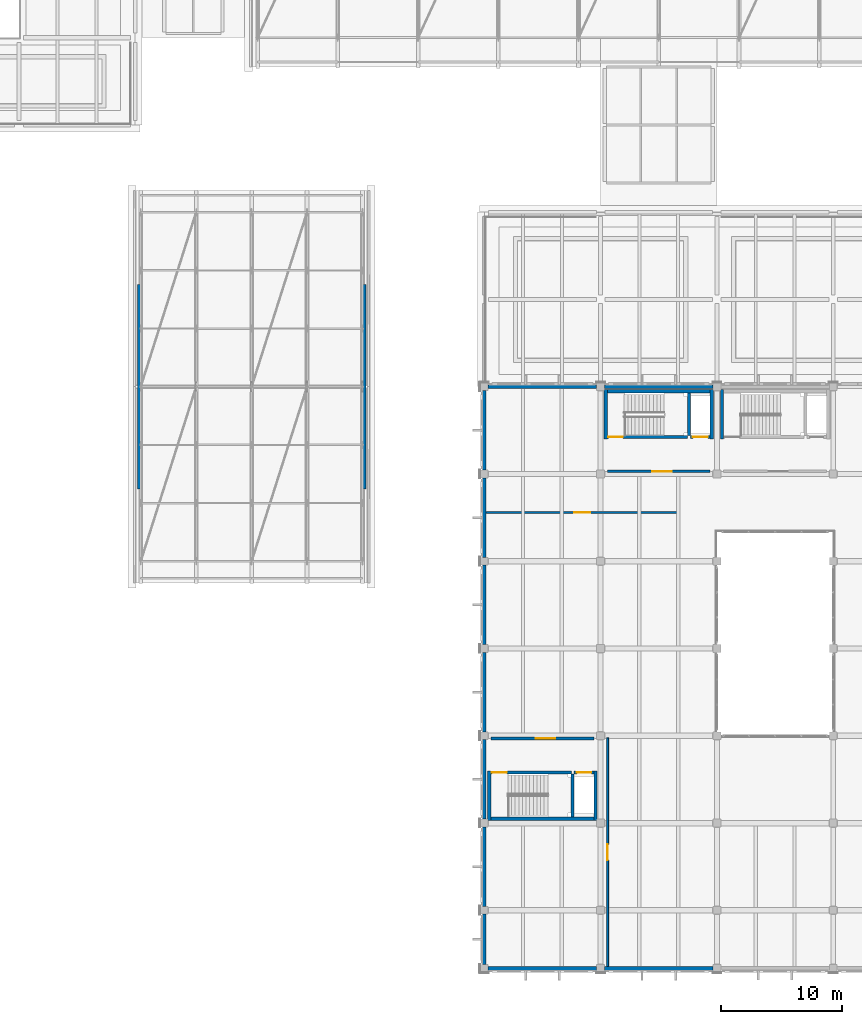
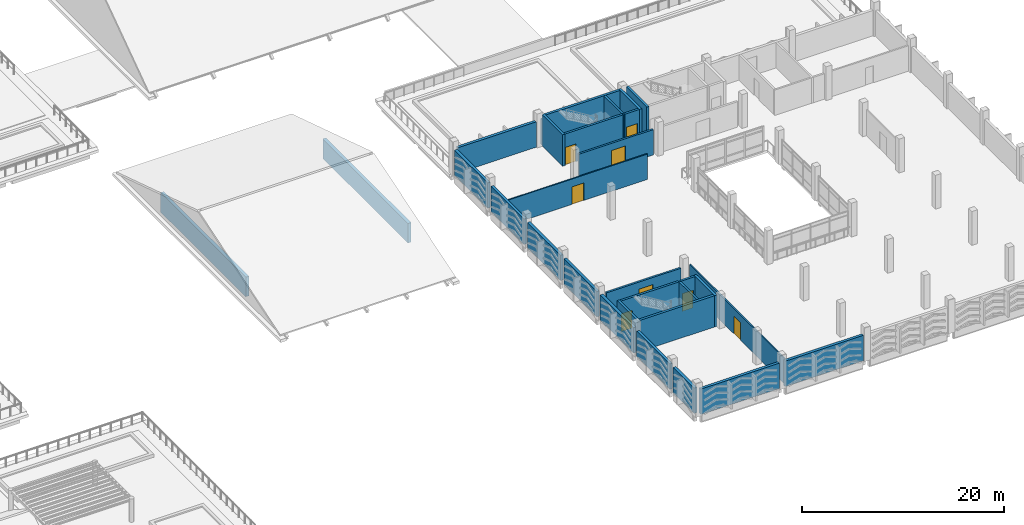
# One storey, part 113 of 134: 30 walls, 8 doors, 8 openings.
"""IFC4 building model written with IfcOpenShell, lengths in metres."""

from ifc_helpers import new_model, si_unit, direction, frame, frame_2d, origin, place, context, subcontext, project, spatial, rectangle, extrude, material, layer, layer_set, type_object, element, fill, save


model = new_model("IFC4")

# Units and contexts
model_context = context("Model", 3, precision=1e-05, world=origin(), true_north=direction((0.0, 1.0)))
body_context = subcontext(model_context, "Body", "Model", "MODEL_VIEW")
ifc_project = project(units=[si_unit("LENGTHUNIT", "METRE"), si_unit("AREAUNIT", "SQUARE_METRE"), si_unit("VOLUMEUNIT", "CUBIC_METRE"), si_unit("PLANEANGLEUNIT", "RADIAN"), si_unit("MASSUNIT", "GRAM", prefix="KILO")], contexts=[model_context])

# Site, building, storey
site_placement = place(None, origin())
site = spatial("IfcSite", under=ifc_project, at=site_placement, CompositionType="ELEMENT")
building_placement = place(site_placement, origin())
building = spatial("IfcBuilding", under=site, at=building_placement, Name="Asteropetra Specialist Clinic", CompositionType="ELEMENT")
storey_placement = place(building_placement, frame((0.0, 0.0, 8.5)))
storey = spatial("IfcBuildingStorey", under=building, at=storey_placement, Name="L02", CompositionType="ELEMENT", Elevation=8.5)

# Walls
ifc_material_1 = material(Name="Chevron aegean deep", Category="masonry")
ifc_layer_1 = layer(ifc_material_1, 0.31494140625)
ifc_layer_set_1 = layer_set([ifc_layer_1], Name="Chevron aegean deep")
wall_type_1 = type_object("IfcWallType", Name="EW-CHEV-AEG-315", PredefinedType="SOLIDWALL", material=ifc_layer_set_1)
for number, where, z_axis, x_axis, name in (
    (1, (105.925048828125, 0.0, 0.0), (0.0, 0.0, 1.0), (1.0, 0.0, 0.0), "Exterior Wall EW-0231"),
    (2, (114.875, 48.0, 0.0), (0.0, 0.0, 1.0), (-1.0, 0.0, 0.0), "Exterior Wall EW-0232"),
):
    element("IfcWall", number, at=place(storey_placement, frame(where, z_axis=z_axis, x_axis=x_axis)), inside=storey, type_object=wall_type_1, Name=name, PredefinedType="SOLIDWALL", context=body_context, shape_type="SweptSolid", body=[
        extrude(rectangle(XDim=8.949951171875, YDim=0.31494140625, at=frame_2d((4.47509765625, 0.0))), origin(), (0.0, 0.0, 1.0), 3.06005859375),
    ])
for number, where, z_axis, x_axis, name in (
    (3, (115.52490234375, 0.0, 0.0), (0.0, 0.0, 1.0), (1.0, 0.0, 0.0), "Exterior Wall EW-0233"),
    (4, (124.47509765625, 48.0, 0.0), (0.0, 0.0, 1.0), (-1.0, 0.0, 0.0), "Exterior Wall EW-0234"),
):
    element("IfcWall", number, at=place(storey_placement, frame(where, z_axis=z_axis, x_axis=x_axis)), inside=storey, type_object=wall_type_1, Name=name, PredefinedType="SOLIDWALL", context=body_context, shape_type="SweptSolid", body=[
        extrude(rectangle(XDim=8.9501953125, YDim=0.31494140625, at=frame_2d((4.47509765625, 0.0))), origin(), (0.0, 0.0, 1.0), 3.06005859375),
    ])
wall_1_placement = place(storey_placement, frame((105.60009765625, 4.47509765625, 0.0), z_axis=(0.0, 0.0, 1.0), x_axis=(0.0, -1.0, 0.0)))
element("IfcWall", 5, at=wall_1_placement, inside=storey, type_object=wall_type_1, Name="Exterior Wall EW-0241", PredefinedType="SOLIDWALL", context=body_context, shape_type="SweptSolid", body=[
    extrude(rectangle(XDim=4.150146484375, YDim=0.31494140625, at=frame_2d((2.0751953125, 0.0))), origin(), (0.0, 0.0, 1.0), 3.06005859375),
])
for number, where, z_axis, x_axis, name in (
    (6, (105.60009765625, 11.675048828125, 0.0), (0.0, 0.0, 1.0), (0.0, -1.0, 0.0), "Exterior Wall EW-0243"),
    (7, (105.60009765625, 18.875, 0.0), (0.0, 0.0, 1.0), (0.0, -1.0, 0.0), "Exterior Wall EW-0245"),
    (8, (105.60009765625, 26.074951171875, 0.0), (0.0, 0.0, 1.0), (0.0, -1.0, 0.0), "Exterior Wall EW-0247"),
):
    element("IfcWall", number, at=place(storey_placement, frame(where, z_axis=z_axis, x_axis=x_axis)), inside=storey, type_object=wall_type_1, Name=name, PredefinedType="SOLIDWALL", context=body_context, shape_type="SweptSolid", body=[
        extrude(rectangle(XDim=6.550048828125, YDim=0.31494140625, at=frame_2d((3.27490234375, 0.0))), origin(), (0.0, 0.0, 1.0), 3.06005859375),
    ])
wall_2_placement = place(storey_placement, frame((105.60009765625, 33.27490234375, 0.0), z_axis=(0.0, 0.0, 1.0), x_axis=(0.0, -1.0, 0.0)))
element("IfcWall", 9, at=wall_2_placement, inside=storey, type_object=wall_type_1, Name="Exterior Wall EW-0249", PredefinedType="SOLIDWALL", context=body_context, shape_type="SweptSolid", body=[
    extrude(rectangle(XDim=6.5498046875, YDim=0.31494140625, at=frame_2d((3.27490234375, 0.0))), origin(), (0.0, 0.0, 1.0), 3.06005859375),
])
for number, where, z_axis, x_axis, name in (
    (10, (105.60009765625, 40.47509765625, 0.0), (0.0, 0.0, 1.0), (0.0, -1.0, 0.0), "Exterior Wall EW-0251"),
    (11, (105.60009765625, 47.675048828125, 0.0), (0.0, 0.0, 1.0), (0.0, -1.0, 0.0), "Exterior Wall EW-0253"),
):
    element("IfcWall", number, at=place(storey_placement, frame(where, z_axis=z_axis, x_axis=x_axis)), inside=storey, type_object=wall_type_1, Name=name, PredefinedType="SOLIDWALL", context=body_context, shape_type="SweptSolid", body=[
        extrude(rectangle(XDim=6.550048828125, YDim=0.31494140625, at=frame_2d((3.27490234375, 0.0))), origin(), (0.0, 0.0, 1.0), 3.06005859375),
    ])
ifc_material_2 = material(Name="Pentelic marble ashlar", Category="masonry")
ifc_layer_2 = layer(ifc_material_2, 0.360107421875)
ifc_layer_set_2 = layer_set([ifc_layer_2], Name="Pentelic marble ashlar")
wall_type_2 = type_object("IfcWallType", Name="EW-PENTELIC-360", PredefinedType="SOLIDWALL", material=ifc_layer_set_2)
for number, where, z_axis, x_axis, name in (
    (12, (77.14990234375, 39.575927734375, 0.239990234375), (0.0, 0.0, 1.0), (0.0, 1.0, 0.0), "Neoclassical Pediment Backup Wall TP-007"),
    (13, (95.64990234375, 39.575927734375, 0.239990234375), (0.0, 0.0, 1.0), (0.0, 1.0, 0.0), "Neoclassical Pediment Backup Wall TP-010"),
):
    element("IfcWall", number, at=place(storey_placement, frame(where, z_axis=z_axis, x_axis=x_axis)), inside=storey, type_object=wall_type_2, Name=name, PredefinedType="SOLIDWALL", context=body_context, shape_type="SweptSolid", body=[
        extrude(rectangle(XDim=16.84814453125, YDim=0.360107421875, at=frame_2d((8.424072265625, 0.0))), origin(), (0.0, 0.0, 1.0), 2.35791015625),
    ])

# Wall, opening, door
ifc_material_3 = material(Name="Fire-rated masonry and gypsum", Category="masonry")
ifc_layer_3 = layer(ifc_material_3, 0.219970703125)
ifc_layer_set_3 = layer_set([ifc_layer_3], Name="Fire-rated masonry and gypsum")
wall_type_3 = type_object("IfcWallType", Name="W-COMP-220", PredefinedType="PARTITIONING", material=ifc_layer_set_3)
wall_3_placement = place(storey_placement, frame((106.159912109375, 18.97998046875, 0.0), z_axis=(0.0, 0.0, 1.0), x_axis=(1.0, 0.0, 0.0)))
wall_3 = element("IfcWall", 14, at=wall_3_placement, inside=storey, type_object=wall_type_3, Name="Core Wall CW-C8-L02-LOB", PredefinedType="PARTITIONING", context=body_context, shape_type="SweptSolid", body=[
    extrude(rectangle(XDim=8.47998046875, YDim=0.219970703125, at=frame_2d((4.239990234375, 0.0))), origin(), (0.0, 0.0, 1.0), 3.06005859375),
])
opening_1_placement = place(wall_3_placement, frame((3.699951171875, 0.0, 0.0)))
opening_1 = element("IfcOpeningElement", 15, at=opening_1_placement, cuts=wall_3, Name="Opening FD-070", PredefinedType="OPENING", context=body_context, shape_type="SweptSolid", body=[
    extrude(rectangle(XDim=1.60009765625, YDim=2.199951171875, at=frame_2d((0.800048828125, 1.10009765625))), frame((0.0, 0.119873046875, 0.0), z_axis=(0.0, -1.0, 0.0), x_axis=(1.0, 0.0, 0.0)), (0.0, 0.0, 1.0), 0.239990234375),
])
ifc_material_4 = material(Name="Fire-rated steel and vision glass door", Category="steel")
door_type_1 = type_object("IfcDoorType", Name="FD-LOBBY-1600", OperationType="DOUBLE_DOOR_SINGLE_SWING", PredefinedType="DOOR", material=ifc_material_4)
door_1_placement = place(opening_1_placement, origin())
door_1 = element("IfcDoor", 16, at=door_1_placement, inside=storey, type_object=door_type_1, Name="Lobby Fire Door FD-070", OperationType="DOUBLE_DOOR_SINGLE_SWING", OverallHeight=2.199951171875, OverallWidth=1.60009765625, PredefinedType="DOOR", context=body_context, shape_type="SweptSolid", body=[
    extrude(rectangle(XDim=1.60009765625, YDim=2.199951171875, at=frame_2d((0.800048828125, 1.10009765625))), frame((0.0, 0.02490234375, 0.0), z_axis=(0.0, -1.0, 0.0), x_axis=(1.0, 0.0, 0.0)), (0.0, 0.0, 1.0), 0.050048828125),
])
fill(opening_1, door_1)

wall_4_placement = place(storey_placement, frame((115.760009765625, 41.02001953125, 0.0), z_axis=(0.0, 0.0, 1.0), x_axis=(1.0, 0.0, 0.0)))
wall_4 = element("IfcWall", 17, at=wall_4_placement, inside=storey, type_object=wall_type_3, Name="Core Wall CW-C10-L02-LOB", PredefinedType="PARTITIONING", context=body_context, shape_type="SweptSolid", body=[
    extrude(rectangle(XDim=8.47998046875, YDim=0.219970703125, at=frame_2d((4.239990234375, 0.0))), origin(), (0.0, 0.0, 1.0), 3.06005859375),
])
opening_2_placement = place(wall_4_placement, frame((3.699951171875, 0.0, 0.0)))
opening_2 = element("IfcOpeningElement", 18, at=opening_2_placement, cuts=wall_4, Name="Opening FD-090", PredefinedType="OPENING", context=body_context, shape_type="SweptSolid", body=[
    extrude(rectangle(XDim=1.60009765625, YDim=2.199951171875, at=frame_2d((0.800048828125, 1.10009765625))), frame((0.0, 0.119873046875, 0.0), z_axis=(0.0, -1.0, 0.0), x_axis=(1.0, 0.0, 0.0)), (0.0, 0.0, 1.0), 0.239990234375),
])
door_2_placement = place(opening_2_placement, origin())
door_2 = element("IfcDoor", 19, at=door_2_placement, inside=storey, type_object=door_type_1, Name="Lobby Fire Door FD-090", OperationType="DOUBLE_DOOR_SINGLE_SWING", OverallHeight=2.199951171875, OverallWidth=1.60009765625, PredefinedType="DOOR", context=body_context, shape_type="SweptSolid", body=[
    extrude(rectangle(XDim=1.60009765625, YDim=2.199951171875, at=frame_2d((0.800048828125, 1.10009765625))), frame((0.0, 0.02490234375, 0.0), z_axis=(0.0, -1.0, 0.0), x_axis=(1.0, 0.0, 0.0)), (0.0, 0.0, 1.0), 0.050048828125),
])
fill(opening_2, door_2)

# Walls
ifc_material_5 = material(Name="Concrete C35/45", Category="concrete")
ifc_layer_4 = layer(ifc_material_5, 0.280029296875)
ifc_layer_set_4 = layer_set([ifc_layer_4], Name="Concrete C35/45")
wall_type_4 = type_object("IfcWallType", Name="W-CORE-280", PredefinedType="SHEAR", material=ifc_layer_set_4)
for number, where, z_axis, x_axis, name in (
    (20, (106.02001953125, 12.219970703125, 0.0), (0.0, 0.0, 1.0), (0.0, 1.0, 0.0), "Core Wall CW-C8-L02-W"),
    (21, (114.780029296875, 12.219970703125, 0.0), (0.0, 0.0, 1.0), (0.0, 1.0, 0.0), "Core Wall CW-C8-L02-E"),
):
    element("IfcWall", number, at=place(storey_placement, frame(where, z_axis=z_axis, x_axis=x_axis)), inside=storey, type_object=wall_type_4, Name=name, PredefinedType="SHEAR", context=body_context, shape_type="SweptSolid", body=[
        extrude(rectangle(XDim=4.080078125, YDim=0.280029296875, at=frame_2d((2.0400390625, 0.0))), origin(), (0.0, 0.0, 1.0), 3.780029296875),
    ])
wall_5_placement = place(storey_placement, frame((106.155029296875, 12.360107421875, 0.0), z_axis=(0.0, 0.0, 1.0), x_axis=(1.0, 0.0, 0.0)))
element("IfcWall", 22, at=wall_5_placement, inside=storey, type_object=wall_type_4, Name="Core Wall CW-C8-L02-BACK", PredefinedType="SHEAR", context=body_context, shape_type="SweptSolid", body=[
    extrude(rectangle(XDim=8.489990234375, YDim=0.280029296875, at=frame_2d((4.2451171875, 0.0))), origin(), (0.0, 0.0, 1.0), 3.780029296875),
])
for number, where, z_axis, x_axis, name in (
    (23, (125.219970703125, 43.699951171875, 0.0), (0.0, 0.0, 1.0), (0.0, 1.0, 0.0), "Core Wall CW-C9-L02-W"),
    (24, (115.6201171875, 43.699951171875, 0.0), (0.0, 0.0, 1.0), (0.0, 1.0, 0.0), "Core Wall CW-C10-L02-W"),
    (25, (124.3798828125, 43.699951171875, 0.0), (0.0, 0.0, 1.0), (0.0, 1.0, 0.0), "Core Wall CW-C10-L02-E"),
):
    element("IfcWall", number, at=place(storey_placement, frame(where, z_axis=z_axis, x_axis=x_axis)), inside=storey, type_object=wall_type_4, Name=name, PredefinedType="SHEAR", context=body_context, shape_type="SweptSolid", body=[
        extrude(rectangle(XDim=4.080078125, YDim=0.280029296875, at=frame_2d((2.0400390625, 0.0))), origin(), (0.0, 0.0, 1.0), 3.780029296875),
    ])
wall_6_placement = place(storey_placement, frame((115.7548828125, 47.639892578125, 0.0), z_axis=(0.0, 0.0, 1.0), x_axis=(1.0, 0.0, 0.0)))
element("IfcWall", 26, at=wall_6_placement, inside=storey, type_object=wall_type_4, Name="Core Wall CW-C10-L02-BACK", PredefinedType="SHEAR", context=body_context, shape_type="SweptSolid", body=[
    extrude(rectangle(XDim=8.490234375, YDim=0.280029296875, at=frame_2d((4.2451171875, 0.0))), origin(), (0.0, 0.0, 1.0), 3.780029296875),
])

# Wall, opening, door
ifc_material_6 = material(Name="Laboratory partition", Category="masonry")
ifc_layer_5 = layer(ifc_material_6, 0.139892578125)
ifc_layer_set_5 = layer_set([ifc_layer_5], Name="Laboratory partition")
wall_type_5 = type_object("IfcWallType", Name="W-PART-140", PredefinedType="PARTITIONING", material=ifc_layer_set_5)
wall_7_placement = place(storey_placement, frame((105.759521484375, 37.6201171875, 0.0), z_axis=(0.0, 0.0, 1.0), x_axis=(1.0, 0.0, 0.0)))
wall_7 = element("IfcWall", 27, at=wall_7_placement, inside=storey, type_object=wall_type_5, Name="Interior Partition PW-0137", PredefinedType="PARTITIONING", context=body_context, shape_type="SweptSolid", body=[
    extrude(rectangle(XDim=15.860595703125, YDim=0.139892578125, at=frame_2d((7.93017578125, 0.0))), origin(), (0.0, 0.0, 1.0), 3.06005859375),
])
opening_3_placement = place(wall_7_placement, frame((7.25537109375, 0.0, 0.0)))
opening_3 = element("IfcOpeningElement", 28, at=opening_3_placement, cuts=wall_7, Name="Opening ID-0091", PredefinedType="OPENING", context=body_context, shape_type="SweptSolid", body=[
    extrude(rectangle(XDim=1.35009765625, YDim=2.1201171875, at=frame_2d((0.675048828125, 1.06005859375))), frame((0.0, 0.079833984375, 0.0), z_axis=(0.0, -1.0, 0.0), x_axis=(1.0, 0.0, 0.0)), (0.0, 0.0, 1.0), 0.159912109375),
])
ifc_material_7 = material(Name="Antimicrobial laminate timber leaf in steel frame", Category="steel")
door_type_2 = type_object("IfcDoorType", Name="ID-LAB-1350", OperationType="NOTDEFINED", PredefinedType="DOOR", material=ifc_material_7)
door_3_placement = place(opening_3_placement, origin())
door_3 = element("IfcDoor", 29, at=door_3_placement, inside=storey, type_object=door_type_2, Name="Interior Door ID-0091", OperationType="SINGLE_SWING_RIGHT", OverallHeight=2.1201171875, OverallWidth=1.35009765625, PredefinedType="DOOR", context=body_context, shape_type="SweptSolid", body=[
    extrude(rectangle(XDim=1.35009765625, YDim=2.1201171875, at=frame_2d((0.675048828125, 1.06005859375))), frame((0.0, 0.02490234375, 0.0), z_axis=(0.0, -1.0, 0.0), x_axis=(1.0, 0.0, 0.0)), (0.0, 0.0, 1.0), 0.050048828125),
])
fill(opening_3, door_3)

ifc_material_8 = material(Name="Clinical consulting partition", Category="masonry")
ifc_layer_6 = layer(ifc_material_8, 0.14990234375)
ifc_layer_set_6 = layer_set([ifc_layer_6], Name="Clinical consulting partition")
wall_type_6 = type_object("IfcWallType", Name="W-PART-150", PredefinedType="PARTITIONING", material=ifc_layer_set_6)
wall_8_placement = place(storey_placement, frame((115.780029296875, 0.159423828125, 0.0), z_axis=(0.0, 0.0, 1.0), x_axis=(0.0, 1.0, 0.0)))
wall_8 = element("IfcWall", 30, at=wall_8_placement, inside=storey, type_object=wall_type_6, Name="Interior Partition PW-0136", PredefinedType="PARTITIONING", context=body_context, shape_type="SweptSolid", body=[
    extrude(rectangle(XDim=18.860595703125, YDim=0.14990234375, at=frame_2d((9.43017578125, 0.0))), origin(), (0.0, 0.0, 1.0), 3.06005859375),
])
opening_4_placement = place(wall_8_placement, frame((8.755126953125, 0.0, 0.0)))
opening_4 = element("IfcOpeningElement", 31, at=opening_4_placement, cuts=wall_8, Name="Opening ID-0090", PredefinedType="OPENING", context=body_context, shape_type="SweptSolid", body=[
    extrude(rectangle(XDim=1.35009765625, YDim=2.1201171875, at=frame_2d((0.675048828125, 1.06005859375))), frame((0.0, 0.0849609375, 0.0), z_axis=(0.0, -1.0, 0.0), x_axis=(1.0, 0.0, 0.0)), (0.0, 0.0, 1.0), 0.169921875),
])
door_4_placement = place(opening_4_placement, origin())
door_4 = element("IfcDoor", 32, at=door_4_placement, inside=storey, type_object=door_type_2, Name="Interior Door ID-0090", OperationType="SINGLE_SWING_LEFT", OverallHeight=2.1201171875, OverallWidth=1.35009765625, PredefinedType="DOOR", context=body_context, shape_type="SweptSolid", body=[
    extrude(rectangle(XDim=1.35009765625, YDim=2.1201171875, at=frame_2d((0.675048828125, 1.06005859375))), frame((0.0, 0.02490234375, 0.0), z_axis=(0.0, -1.0, 0.0), x_axis=(1.0, 0.0, 0.0)), (0.0, 0.0, 1.0), 0.050048828125),
])
fill(opening_4, door_4)

# Wall
ifc_material_9 = material(Name="Concrete C35/45", Category="concrete")
ifc_layer_7 = layer(ifc_material_9, 0.25)
ifc_layer_set_7 = layer_set([ifc_layer_7], Name="Concrete C35/45")
wall_type_7 = type_object("IfcWallType", Name="W-SHAFT-250", PredefinedType="SHEAR", material=ifc_layer_set_7)
wall_9_placement = place(storey_placement, frame((112.89990234375, 12.5, 0.0), z_axis=(0.0, 0.0, 1.0), x_axis=(0.0, 1.0, 0.0)))
element("IfcWall", 33, at=wall_9_placement, inside=storey, type_object=wall_type_7, Name="Core Wall CW-C8-L02-MID", PredefinedType="SHEAR", context=body_context, shape_type="SweptSolid", body=[
    extrude(rectangle(XDim=3.5400390625, YDim=0.25, at=frame_2d((1.77001953125, 0.0))), origin(), (0.0, 0.0, 1.0), 3.780029296875),
])

# Wall, opening, door
wall_10_placement = place(storey_placement, frame((106.155029296875, 16.159912109375, 0.0), z_axis=(0.0, 0.0, 1.0), x_axis=(1.0, 0.0, 0.0)))
wall_10 = element("IfcWall", 34, at=wall_10_placement, inside=storey, type_object=wall_type_7, Name="Core Wall CW-C8-L02-STDIV", PredefinedType="SHEAR", context=body_context, shape_type="SweptSolid", body=[
    extrude(rectangle(XDim=6.625, YDim=0.25, at=frame_2d((3.3125, 0.0))), origin(), (0.0, 0.0, 1.0), 3.780029296875),
])
opening_5_placement = place(wall_10_placement, frame((0.080078125, 0.0, 0.0)))
opening_5 = element("IfcOpeningElement", 35, at=opening_5_placement, cuts=wall_10, Name="Opening FD-069", PredefinedType="OPENING", context=body_context, shape_type="SweptSolid", body=[
    extrude(rectangle(XDim=1.239990234375, YDim=2.14990234375, at=frame_2d((0.6201171875, 1.074951171875))), frame((0.0, 0.135009765625, 0.0), z_axis=(0.0, -1.0, 0.0), x_axis=(1.0, 0.0, 0.0)), (0.0, 0.0, 1.0), 0.27001953125),
])
ifc_material_10 = material(Name="Fire-rated steel and vision glass door", Category="steel")
door_type_3 = type_object("IfcDoorType", Name="FD-STAIR-1400", OperationType="DOUBLE_DOOR_SINGLE_SWING", PredefinedType="DOOR", material=ifc_material_10)
door_5_placement = place(opening_5_placement, origin())
door_5 = element("IfcDoor", 36, at=door_5_placement, inside=storey, type_object=door_type_3, Name="Stair Fire Door FD-069", OperationType="DOUBLE_DOOR_SINGLE_SWING", OverallHeight=2.14990234375, OverallWidth=1.239990234375, PredefinedType="DOOR", context=body_context, shape_type="SweptSolid", body=[
    extrude(rectangle(XDim=1.239990234375, YDim=2.14990234375, at=frame_2d((0.6201171875, 1.074951171875))), frame((0.0, 0.02490234375, 0.0), z_axis=(0.0, -1.0, 0.0), x_axis=(1.0, 0.0, 0.0)), (0.0, 0.0, 1.0), 0.050048828125),
])
fill(opening_5, door_5)

wall_11_placement = place(storey_placement, frame((113.02001953125, 16.159912109375, 0.0), z_axis=(0.0, 0.0, 1.0), x_axis=(1.0, 0.0, 0.0)))
wall_11 = element("IfcWall", 37, at=wall_11_placement, inside=storey, type_object=wall_type_7, Name="Lift Shaft Front Wall CW-C8-L02-LFTF", PredefinedType="SHEAR", context=body_context, shape_type="SweptSolid", body=[
    extrude(rectangle(XDim=1.625, YDim=0.25, at=frame_2d((0.8125, 0.0))), origin(), (0.0, 0.0, 1.0), 3.780029296875),
])
opening_6_placement = place(wall_11_placement, frame((0.21240234375, 0.0, 0.0)))
opening_6 = element("IfcOpeningElement", 38, at=opening_6_placement, cuts=wall_11, Name="Opening LD-035", PredefinedType="OPENING", context=body_context, shape_type="SweptSolid", body=[
    extrude(rectangle(XDim=1.199951171875, YDim=2.14990234375, at=frame_2d((0.60009765625, 1.074951171875))), frame((0.0, 0.135009765625, 0.0), z_axis=(0.0, -1.0, 0.0), x_axis=(1.0, 0.0, 0.0)), (0.0, 0.0, 1.0), 0.27001953125),
])
ifc_material_11 = material(Name="Brushed stainless steel sliding lift landing door", Category="steel")
door_type_4 = type_object("IfcDoorType", Name="LD-FF-1200", OperationType="DOUBLE_DOOR_SLIDING", PredefinedType="DOOR", material=ifc_material_11)
door_6_placement = place(opening_6_placement, origin())
door_6 = element("IfcDoor", 39, at=door_6_placement, inside=storey, type_object=door_type_4, Name="Lift Landing Door LD-035", OperationType="DOUBLE_DOOR_SLIDING", OverallHeight=2.14990234375, OverallWidth=1.199951171875, PredefinedType="DOOR", context=body_context, shape_type="SweptSolid", body=[
    extrude(rectangle(XDim=1.199951171875, YDim=2.14990234375, at=frame_2d((0.60009765625, 1.074951171875))), frame((0.0, 0.02490234375, 0.0), z_axis=(0.0, -1.0, 0.0), x_axis=(1.0, 0.0, 0.0)), (0.0, 0.0, 1.0), 0.050048828125),
])
fill(opening_6, door_6)

# Wall
wall_12_placement = place(storey_placement, frame((122.5, 43.9599609375, 0.0), z_axis=(0.0, 0.0, 1.0), x_axis=(0.0, 1.0, 0.0)))
element("IfcWall", 40, at=wall_12_placement, inside=storey, type_object=wall_type_7, Name="Core Wall CW-C10-L02-MID", PredefinedType="SHEAR", context=body_context, shape_type="SweptSolid", body=[
    extrude(rectangle(XDim=3.5400390625, YDim=0.25, at=frame_2d((1.77001953125, 0.0))), origin(), (0.0, 0.0, 1.0), 3.780029296875),
])

# Wall, opening, door
wall_13_placement = place(storey_placement, frame((115.7548828125, 43.840087890625, 0.0), z_axis=(0.0, 0.0, 1.0), x_axis=(1.0, 0.0, 0.0)))
wall_13 = element("IfcWall", 41, at=wall_13_placement, inside=storey, type_object=wall_type_7, Name="Core Wall CW-C10-L02-STDIV", PredefinedType="SHEAR", context=body_context, shape_type="SweptSolid", body=[
    extrude(rectangle(XDim=6.625, YDim=0.25, at=frame_2d((3.3125, 0.0))), origin(), (0.0, 0.0, 1.0), 3.780029296875),
])
opening_7_placement = place(wall_13_placement, frame((0.080078125, 0.0, 0.0)))
opening_7 = element("IfcOpeningElement", 42, at=opening_7_placement, cuts=wall_13, Name="Opening FD-089", PredefinedType="OPENING", context=body_context, shape_type="SweptSolid", body=[
    extrude(rectangle(XDim=1.199951171875, YDim=2.14990234375, at=frame_2d((0.60009765625, 1.074951171875))), frame((0.0, 0.135009765625, 0.0), z_axis=(0.0, -1.0, 0.0), x_axis=(1.0, 0.0, 0.0)), (0.0, 0.0, 1.0), 0.27001953125),
])
ifc_material_12 = material(Name="Fire-rated steel and vision glass door", Category="steel")
door_type_5 = type_object("IfcDoorType", Name="FD-STAIR-1350", OperationType="DOUBLE_DOOR_SINGLE_SWING", PredefinedType="DOOR", material=ifc_material_12)
door_7_placement = place(opening_7_placement, origin())
door_7 = element("IfcDoor", 43, at=door_7_placement, inside=storey, type_object=door_type_5, Name="Stair Fire Door FD-089", OperationType="DOUBLE_DOOR_SINGLE_SWING", OverallHeight=2.14990234375, OverallWidth=1.199951171875, PredefinedType="DOOR", context=body_context, shape_type="SweptSolid", body=[
    extrude(rectangle(XDim=1.199951171875, YDim=2.14990234375, at=frame_2d((0.60009765625, 1.074951171875))), frame((0.0, 0.02490234375, 0.0), z_axis=(0.0, -1.0, 0.0), x_axis=(1.0, 0.0, 0.0)), (0.0, 0.0, 1.0), 0.050048828125),
])
fill(opening_7, door_7)

wall_14_placement = place(storey_placement, frame((122.6201171875, 43.840087890625, 0.0), z_axis=(0.0, 0.0, 1.0), x_axis=(1.0, 0.0, 0.0)))
wall_14 = element("IfcWall", 44, at=wall_14_placement, inside=storey, type_object=wall_type_7, Name="Lift Shaft Front Wall CW-C10-L02-LFTF", PredefinedType="SHEAR", context=body_context, shape_type="SweptSolid", body=[
    extrude(rectangle(XDim=1.625, YDim=0.25, at=frame_2d((0.8125, 0.0))), origin(), (0.0, 0.0, 1.0), 3.780029296875),
])
opening_8_placement = place(wall_14_placement, frame((0.1875, 0.0, 0.0)))
opening_8 = element("IfcOpeningElement", 45, at=opening_8_placement, cuts=wall_14, Name="Opening LD-045", PredefinedType="OPENING", context=body_context, shape_type="SweptSolid", body=[
    extrude(rectangle(XDim=1.25, YDim=2.14990234375, at=frame_2d((0.625, 1.074951171875))), frame((0.0, 0.135009765625, 0.0), z_axis=(0.0, -1.0, 0.0), x_axis=(1.0, 0.0, 0.0)), (0.0, 0.0, 1.0), 0.27001953125),
])
ifc_material_13 = material(Name="Brushed stainless steel sliding lift landing door", Category="steel")
door_type_6 = type_object("IfcDoorType", Name="LD-SERV-1250", OperationType="DOUBLE_DOOR_SLIDING", PredefinedType="DOOR", material=ifc_material_13)
door_8_placement = place(opening_8_placement, origin())
door_8 = element("IfcDoor", 46, at=door_8_placement, inside=storey, type_object=door_type_6, Name="Lift Landing Door LD-045", OperationType="DOUBLE_DOOR_SLIDING", OverallHeight=2.14990234375, OverallWidth=1.25, PredefinedType="DOOR", context=body_context, shape_type="SweptSolid", body=[
    extrude(rectangle(XDim=1.25, YDim=2.14990234375, at=frame_2d((0.625, 1.074951171875))), frame((0.0, 0.02490234375, 0.0), z_axis=(0.0, -1.0, 0.0), x_axis=(1.0, 0.0, 0.0)), (0.0, 0.0, 1.0), 0.050048828125),
])
fill(opening_8, door_8)

save(model, "model.ifc")
